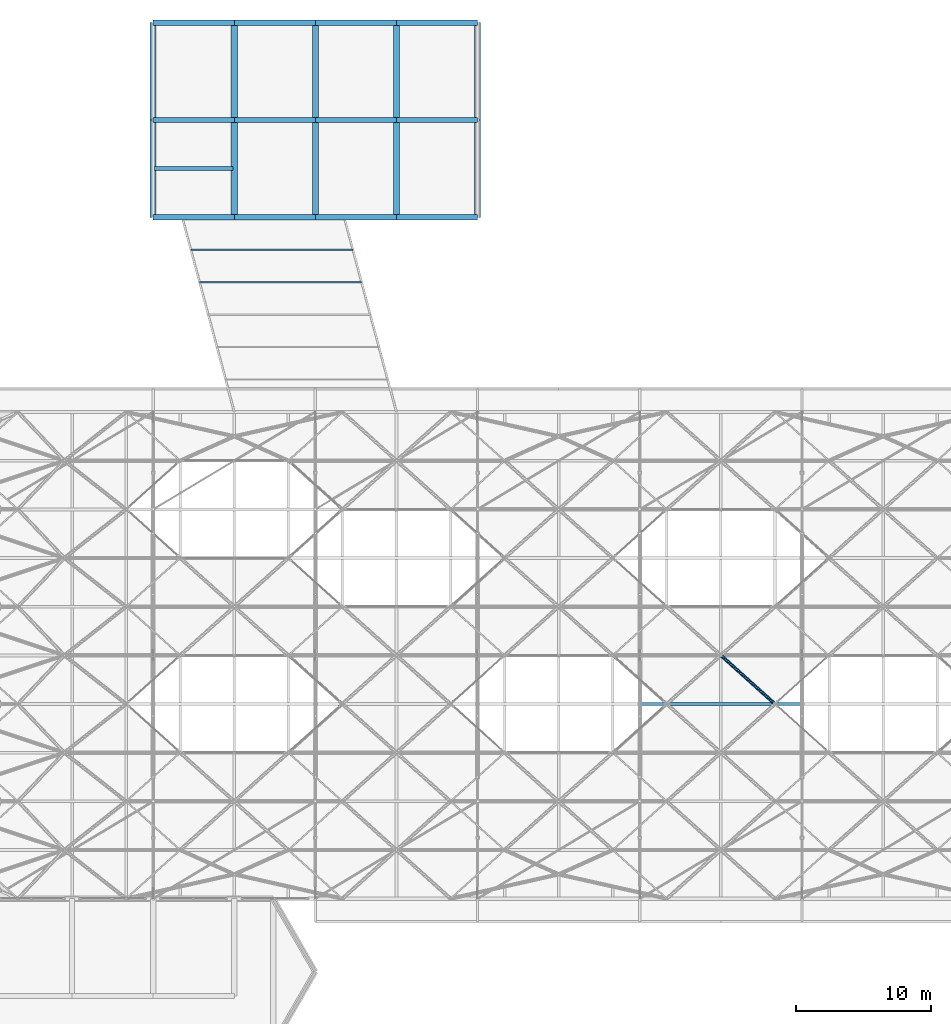
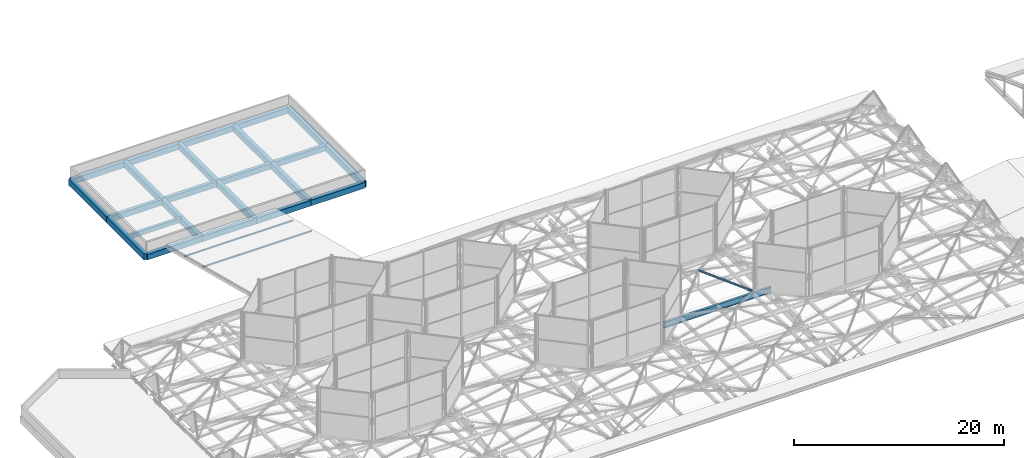
# One storey, part 111 of 239: 24 beams, 3 members.
"""IFC4 building model written with IfcOpenShell, lengths in metres."""

from ifc_helpers import new_model, si_unit, direction, frame, origin, origin_2d, place, context, subcontext, project, spatial, rectangle, hollow_circle, i_section, extrude, material, material_profile, profile_set, type_object, element, save


model = new_model("IFC4")

# Units and contexts
model_context = context("Model", 3, precision=1e-05, world=origin(), true_north=direction((0.0, 1.0)))
body_context = subcontext(model_context, "Body", "Model", "MODEL_VIEW")
ifc_project = project(units=[si_unit("LENGTHUNIT", "METRE"), si_unit("AREAUNIT", "SQUARE_METRE"), si_unit("VOLUMEUNIT", "CUBIC_METRE"), si_unit("PLANEANGLEUNIT", "RADIAN"), si_unit("MASSUNIT", "GRAM", prefix="KILO")], contexts=[model_context])

# Site, building, storey
site_placement = place(None, origin())
site = spatial("IfcSite", under=ifc_project, at=site_placement, CompositionType="ELEMENT")
building_placement = place(site_placement, origin())
building = spatial("IfcBuilding", under=site, at=building_placement, Name="Dunvalen Ferry Terminal", CompositionType="ELEMENT")
storey_placement = place(building_placement, frame((0.0, 0.0, 9.840087890625)))
storey = spatial("IfcBuildingStorey", under=building, at=storey_placement, Name="L02", CompositionType="ELEMENT", Elevation=9.840087890625)

# Beams
ifc_material_1 = material(Name="Concrete C35/45", Category="concrete")
ifc_material_profile_1 = material_profile(ifc_material_1, rectangle(XDim=0.300048828125, YDim=0.5, at=origin_2d()), Name="Concrete C35/45")
ifc_profile_set_1 = profile_set([ifc_material_profile_1], Name="Concrete C35/45")
beam_type_1 = type_object("IfcBeamType", Name="STR-BM-RCB500", PredefinedType="JOIST", material=ifc_profile_set_1)
beam_1_placement = place(storey_placement, frame((24.10009765625, 104.39990234375, -0.489990234375), z_axis=(1.0, 0.0, 0.0), x_axis=(0.0, 1.0, 0.0)))
element("IfcBeam", 1, at=beam_1_placement, inside=storey, type_object=beam_type_1, Name="L02 V3B1 Secondary Joist 001", PredefinedType="JOIST", context=body_context, shape_type="SweptSolid", body=[
    extrude(rectangle(XDim=0.300048828125, YDim=0.5, at=origin_2d()), origin(), (0.0, 0.0, 1.0), 5.7998046875),
])
ifc_material_2 = material(Name="Concrete C40/50", Category="concrete")
ifc_material_profile_2 = material_profile(ifc_material_2, rectangle(XDim=0.39990234375, YDim=0.64990234375, at=origin_2d()), Name="Concrete C40/50")
ifc_profile_set_2 = profile_set([ifc_material_profile_2], Name="Concrete C40/50")
beam_type_2 = type_object("IfcBeamType", Name="STR-BM-RCB650", PredefinedType="BEAM", material=ifc_profile_set_2)
for number, where, z_axis, x_axis, name in (
    (2, (24.0, 100.800048828125, -0.565185546875), (1.0, 0.0, 0.0), (0.0, 1.0, 0.0), "L02 V3B1 Primary Beam X-001"),
    (3, (30.0, 100.800048828125, -0.565185546875), (1.0, 0.0, 0.0), (0.0, 1.0, 0.0), "L02 V3B1 Primary Beam X-002"),
    (4, (36.0, 100.800048828125, -0.565185546875), (1.0, 0.0, 0.0), (0.0, 1.0, 0.0), "L02 V3B1 Primary Beam X-003"),
    (5, (42.0, 100.800048828125, -0.565185546875), (1.0, 0.0, 0.0), (0.0, 1.0, 0.0), "L02 V3B1 Primary Beam X-004"),
    (6, (24.0, 108.0, -0.565185546875), (1.0, 0.0, 0.0), (0.0, 1.0, 0.0), "L02 V3B1 Primary Beam X-005"),
    (7, (30.0, 108.0, -0.565185546875), (1.0, 0.0, 0.0), (0.0, 1.0, 0.0), "L02 V3B1 Primary Beam X-006"),
    (8, (36.0, 108.0, -0.565185546875), (1.0, 0.0, 0.0), (0.0, 1.0, 0.0), "L02 V3B1 Primary Beam X-007"),
    (9, (42.0, 108.0, -0.565185546875), (1.0, 0.0, 0.0), (0.0, 1.0, 0.0), "L02 V3B1 Primary Beam X-008"),
    (10, (24.0, 115.199951171875, -0.565185546875), (1.0, 0.0, 0.0), (0.0, 1.0, 0.0), "L02 V3B1 Primary Beam X-009"),
    (11, (30.0, 115.199951171875, -0.565185546875), (1.0, 0.0, 0.0), (0.0, 1.0, 0.0), "L02 V3B1 Primary Beam X-010"),
    (12, (36.0, 115.199951171875, -0.565185546875), (1.0, 0.0, 0.0), (0.0, 1.0, 0.0), "L02 V3B1 Primary Beam X-011"),
    (13, (42.0, 115.199951171875, -0.565185546875), (1.0, 0.0, 0.0), (0.0, 1.0, 0.0), "L02 V3B1 Primary Beam X-012"),
):
    element("IfcBeam", number, at=place(storey_placement, frame(where, z_axis=z_axis, x_axis=x_axis)), inside=storey, type_object=beam_type_2, Name=name, PredefinedType="BEAM", context=body_context, shape_type="SweptSolid", body=[
        extrude(rectangle(XDim=0.39990234375, YDim=0.64990234375, at=origin_2d()), origin(), (0.0, 0.0, 1.0), 6.0),
    ])
ifc_material_profile_3 = material_profile(ifc_material_2, rectangle(XDim=0.449951171875, YDim=0.699951171875, at=origin_2d()), Name="Concrete C40/50")
ifc_profile_set_3 = profile_set([ifc_material_profile_3], Name="Concrete C40/50")
beam_type_3 = type_object("IfcBeamType", Name="STR-BM-RCB700", PredefinedType="BEAM", material=ifc_profile_set_3)
for number, where, z_axis, x_axis, name in (
    (14, (24.0, 100.800048828125, -0.590087890625), (0.0, 1.0, 0.0), (-1.0, 0.0, 0.0), "L02 V3B1 Primary Girder Y-013"),
    (15, (24.0, 108.0, -0.590087890625), (0.0, 1.0, 0.0), (-1.0, 0.0, 0.0), "L02 V3B1 Primary Girder Y-014"),
    (16, (30.0, 100.800048828125, -0.590087890625), (0.0, 1.0, 0.0), (-1.0, 0.0, 0.0), "L02 V3B1 Primary Girder Y-015"),
    (17, (30.0, 108.0, -0.590087890625), (0.0, 1.0, 0.0), (-1.0, 0.0, 0.0), "L02 V3B1 Primary Girder Y-016"),
    (18, (36.0, 100.800048828125, -0.590087890625), (0.0, 1.0, 0.0), (-1.0, 0.0, 0.0), "L02 V3B1 Primary Girder Y-017"),
    (19, (36.0, 108.0, -0.590087890625), (0.0, 1.0, 0.0), (-1.0, 0.0, 0.0), "L02 V3B1 Primary Girder Y-018"),
    (20, (42.0, 100.800048828125, -0.590087890625), (0.0, 1.0, 0.0), (-1.0, 0.0, 0.0), "L02 V3B1 Primary Girder Y-019"),
    (21, (42.0, 108.0, -0.590087890625), (0.0, 1.0, 0.0), (-1.0, 0.0, 0.0), "L02 V3B1 Primary Girder Y-020"),
    (22, (48.0, 100.800048828125, -0.590087890625), (0.0, 1.0, 0.0), (-1.0, 0.0, 0.0), "L02 V3B1 Primary Girder Y-021"),
    (23, (48.0, 108.0, -0.590087890625), (0.0, 1.0, 0.0), (-1.0, 0.0, 0.0), "L02 V3B1 Primary Girder Y-022"),
):
    element("IfcBeam", number, at=place(storey_placement, frame(where, z_axis=z_axis, x_axis=x_axis)), inside=storey, type_object=beam_type_3, Name=name, PredefinedType="BEAM", context=body_context, shape_type="SweptSolid", body=[
        extrude(rectangle(XDim=0.449951171875, YDim=0.699951171875, at=origin_2d()), origin(), (0.0, 0.0, 1.0), 7.199951171875),
    ])
ifc_material_3 = material(Name="Steel S355", Category="steel")
ifc_material_profile_4 = material_profile(ifc_material_3, i_section(OverallWidth=0.253662109375, OverallDepth=0.68359375, WebThickness=0.012451171875, FlangeThickness=0.01904296875, FilletRadius=0.01513671875, at=origin_2d()), Name="Steel S355")
ifc_profile_set_4 = profile_set([ifc_material_profile_4], Name="Steel S355")
beam_type_4 = type_object("IfcBeamType", Name="STR-BM-UKB686", PredefinedType="BEAM", material=ifc_profile_set_4)
beam_2_placement = place(storey_placement, frame((60.10009765625, 64.800048828125, 0.658203125), z_axis=(1.0, 0.0, 0.0), x_axis=(0.0, 1.0, 0.0)))
element("IfcBeam", 24, at=beam_2_placement, inside=storey, type_object=beam_type_4, Name="Departure Hall Spine Girder B5.05", PredefinedType="BEAM", context=body_context, shape_type="SweptSolid", body=[
    extrude(i_section(OverallWidth=0.253662109375, OverallDepth=0.68359375, WebThickness=0.012451171875, FlangeThickness=0.01904296875, FilletRadius=0.01513671875, at=origin_2d()), origin(), (0.0, 0.0, 1.0), 11.7998046875),
])

# Members
ifc_material_profile_5 = material_profile(ifc_material_3, hollow_circle(Radius=0.122314453125, WallThickness=0.010009765625, at=origin_2d()), Name="Steel S355")
ifc_profile_set_5 = profile_set([ifc_material_profile_5], Name="Steel S355")
member_type_1 = type_object("IfcMemberType", Name="STR-MB-CHS244", PredefinedType="STRUT", material=ifc_profile_set_5)
member_placement = place(storey_placement, frame((70.0, 64.800048828125, 1.099853515625), z_axis=(-0.710094348105, 0.639058908863, 0.295583706914), x_axis=(-0.668949692402, -0.74330768127, 0.0)))
element("IfcMember", 25, at=member_placement, inside=storey, type_object=member_type_1, Name="HEX-31 Pyramid Hip Rafter 3", PredefinedType="STRUT", context=body_context, shape_type="SweptSolid", body=[
    extrude(hollow_circle(Radius=0.122314453125, WallThickness=0.010009765625, at=origin_2d()), origin(), (0.0, 0.0, 1.0), 5.633056640625),
])
ifc_material_profile_6 = material_profile(ifc_material_3, i_section(OverallWidth=0.091064453125, OverallDepth=0.179931640625, WebThickness=0.00537109375, FlangeThickness=0.008056640625, FilletRadius=0.009033203125, at=origin_2d()), Name="Steel S355")
ifc_profile_set_6 = profile_set([ifc_material_profile_6], Name="Steel S355")
member_type_2 = type_object("IfcMemberType", Name="STR-MB-IPE180", PredefinedType="PURLIN", material=ifc_profile_set_6)
for number, where, z_axis, x_axis, name in (
    (26, (27.427734375, 96.0, -0.090087890625), (1.0, 0.0, 0.0), (0.0, 1.0, 0.0), "Boarding Bridge 1 Roof Purlin 4"),
    (27, (26.78466796875, 98.39990234375, -0.090087890625), (1.0, 0.0, 0.0), (0.0, 1.0, 0.0), "Boarding Bridge 1 Roof Purlin 5"),
):
    element("IfcMember", number, at=place(storey_placement, frame(where, z_axis=z_axis, x_axis=x_axis)), inside=storey, type_object=member_type_2, Name=name, PredefinedType="PURLIN", context=body_context, shape_type="SweptSolid", body=[
        extrude(i_section(OverallWidth=0.091064453125, OverallDepth=0.179931640625, WebThickness=0.00537109375, FlangeThickness=0.008056640625, FilletRadius=0.009033203125, at=origin_2d()), origin(), (0.0, 0.0, 1.0), 12.0),
    ])

save(model, "model.ifc")
